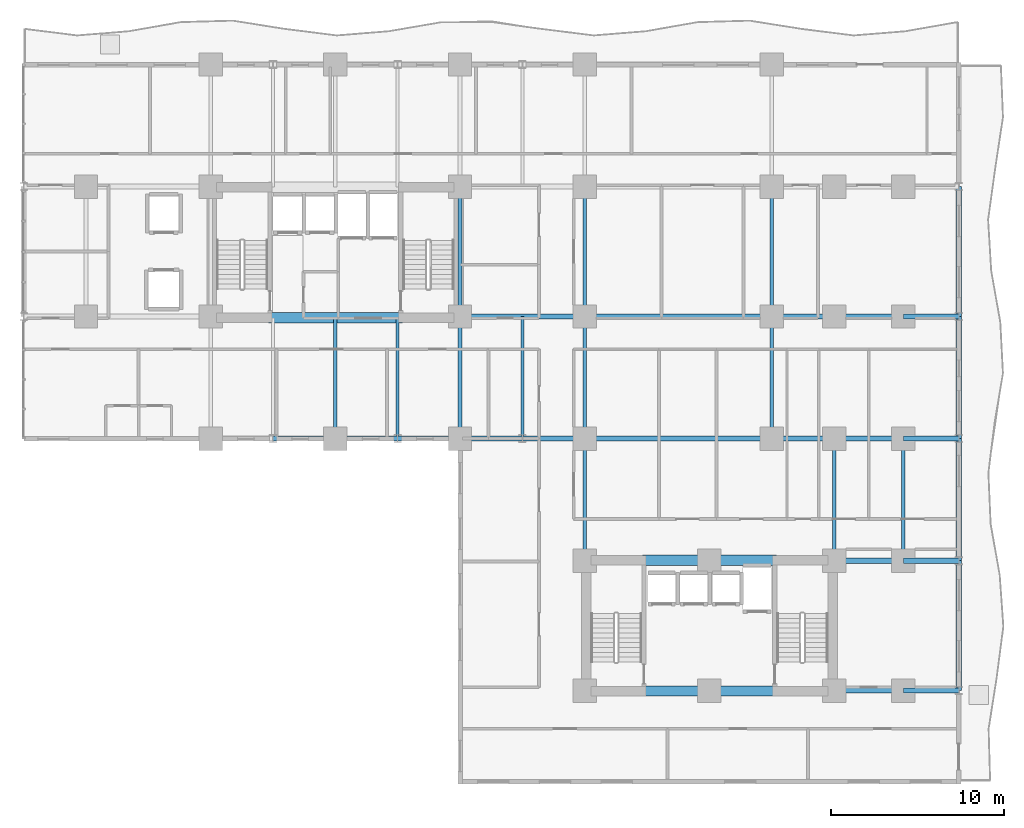
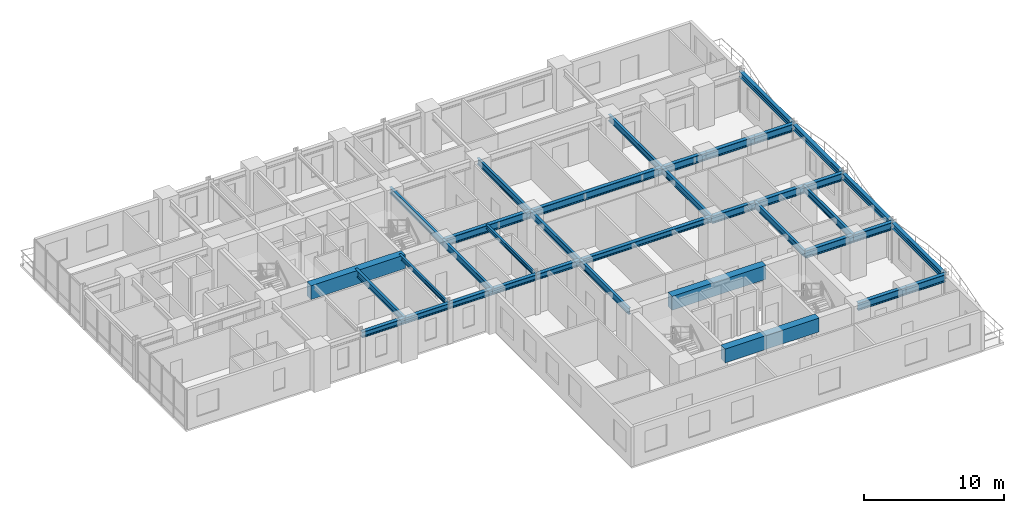
# One storey, part 5 of 19: 37 beams.
"""IFC4 building model written with IfcOpenShell, lengths in metres."""

import ifcopenshell
import ifcopenshell.guid

model = None  # the IFC model being written
_history = None  # IfcOwnerHistory: only IFC2X3 demands one
_inside = {}  # id of a spatial element -> (the spatial element, [elements in it])
_under = {}  # id of a project, library or spatial element -> (it, [spatial elements below it])
_declared = {}  # id of a project -> (the project, [libraries it declares])
_typed = {}  # id of a type object -> (the type object, [elements of that type])
_made_of = {}  # id of a material, layer set ... -> (it, [elements and type objects made of it])


def new_model(schema):
    """Start an empty IFC model of exactly this schema.

    Asked for "IFC4X3", IfcOpenShell would pick the latest addendum, in which some entities
    have other attributes; the version numbers below select the first issue.
    IFC2X3 requires an IfcOwnerHistory on every rooted entity: one is made here for all.
    """
    global model, _history
    if schema == "IFC4X3":
        model = ifcopenshell.file(schema_version=(4, 3, 0, 0))
    else:
        model = ifcopenshell.file(schema=schema)
    _inside.clear()
    _under.clear()
    _declared.clear()
    _typed.clear()
    _made_of.clear()
    _history = None
    if model.schema == "IFC2X3":
        org = make("IfcOrganization", Name="unknown")
        user = make(
            "IfcPersonAndOrganization",
            ThePerson=make("IfcPerson", FamilyName="unknown"),
            TheOrganization=org,
        )
        app = make(
            "IfcApplication",
            ApplicationDeveloper=org,
            Version="unknown",
            ApplicationFullName="unknown",
            ApplicationIdentifier="unknown",
        )
        _history = make(
            "IfcOwnerHistory",
            OwningUser=user,
            OwningApplication=app,
            ChangeAction="ADDED",
            CreationDate=0,
        )
    return model


def make(cls, **values):
    """One entity of the class cls with the attributes given. An attribute that is None is left unset."""
    return model.create_entity(
        cls, **{name: value for name, value in values.items() if value is not None}
    )


def rooted(cls, **values):
    """An entity with a GlobalId (a new one), such as an element, a storey or a relation."""
    return make(cls, GlobalId=ifcopenshell.guid.new(), OwnerHistory=_history, **values)


def si_unit(unit_type, name, prefix=None):
    """IfcSIUnit, for example si_unit("LENGTHUNIT", "METRE", prefix="MILLI")."""
    return make("IfcSIUnit", UnitType=unit_type, Prefix=prefix, Name=name)


def assignment(units):
    """IfcUnitAssignment: the units of a project."""
    return None if units is None else make("IfcUnitAssignment", Units=units)


def point(xyz):
    """IfcCartesianPoint."""
    return None if xyz is None else make("IfcCartesianPoint", Coordinates=xyz)


def direction(xyz):
    """IfcDirection."""
    return None if xyz is None else make("IfcDirection", DirectionRatios=xyz)


def frame(location, z_axis=None, x_axis=None):
    """IfcAxis2Placement3D, a coordinate frame: its origin and axes. An axis left out is left unset."""
    return make(
        "IfcAxis2Placement3D",
        Location=point(location),
        Axis=direction(z_axis),
        RefDirection=direction(x_axis),
    )


def frame_2d(location, x_axis=None):
    """IfcAxis2Placement2D, a coordinate frame in the plane: its origin and x axis."""
    return make(
        "IfcAxis2Placement2D", Location=point(location), RefDirection=direction(x_axis)
    )


def origin():
    """The frame at (0, 0, 0) with its axes left unset."""
    return frame((0.0, 0.0, 0.0))


def origin_2d():
    """The frame at (0, 0) in the plane with its x axis left unset."""
    return frame_2d((0.0, 0.0))


def place(relative_to, where):
    """IfcLocalPlacement: puts the frame where relative to a parent placement (None: the world)."""
    return make(
        "IfcLocalPlacement", PlacementRelTo=relative_to, RelativePlacement=where
    )


def context(
    kind, dimensions, precision=None, world=None, true_north=None, identifier=None
):
    """IfcGeometricRepresentationContext, for example the 3D "Model" context."""
    return make(
        "IfcGeometricRepresentationContext",
        ContextIdentifier=identifier,
        ContextType=kind,
        CoordinateSpaceDimension=dimensions,
        Precision=precision,
        WorldCoordinateSystem=world,
        TrueNorth=true_north,
    )


def subcontext(parent, identifier, kind, view, scale=None):
    """IfcGeometricRepresentationSubContext, for example "Body" below "Model"."""
    return make(
        "IfcGeometricRepresentationSubContext",
        ContextIdentifier=identifier,
        ContextType=kind,
        ParentContext=parent,
        TargetScale=scale,
        TargetView=view,
    )


def project(units=None, contexts=None):
    """IfcProject with its units and contexts."""
    return rooted(
        "IfcProject",
        Name="project",
        RepresentationContexts=contexts,
        UnitsInContext=assignment(units),
    )


def spatial(cls, under=None, at=None, **own):
    """A site, building, storey or space (cls), placed at a placement, below another one or the project."""
    s = rooted(cls, ObjectPlacement=at, **own)
    if under is not None:
        _under.setdefault(under.id(), (under, []))[1].append(s)
    return s


def profile(cls, at=None, kind="AREA", **sizes):
    """A parametric profile (cls). Its sizes go by their IFC names, for example OverallWidth=200.0."""
    return make(cls, ProfileType=kind, Position=at, **sizes)


def rectangle(**sizes):
    """IfcRectangleProfileDef."""
    return profile("IfcRectangleProfileDef", **sizes)


def i_section(**sizes):
    """IfcIShapeProfileDef."""
    return profile("IfcIShapeProfileDef", **sizes)


def extrude(swept, where, along, depth):
    """IfcExtrudedAreaSolid: the profile swept, set in the frame where, extruded along a direction by depth."""
    return make(
        "IfcExtrudedAreaSolid",
        SweptArea=swept,
        Position=where,
        ExtrudedDirection=direction(along),
        Depth=depth,
    )


def shape(context_of_items, identifier, shape_type, items):
    """IfcShapeRepresentation: the items that make up one representation, for example the "Body"."""
    return make(
        "IfcShapeRepresentation",
        ContextOfItems=context_of_items,
        RepresentationIdentifier=identifier,
        RepresentationType=shape_type,
        Items=items,
    )


def source(mapping_origin, context_of_items, identifier, shape_type, items):
    """IfcRepresentationMap: a shape defined once, which mapped items show again and again."""
    return make(
        "IfcRepresentationMap",
        MappingOrigin=mapping_origin,
        MappedRepresentation=shape(context_of_items, identifier, shape_type, items),
    )


def transform(
    local_origin,
    x_axis=None,
    y_axis=None,
    z_axis=None,
    scale=None,
    scale2=None,
    scale3=None,
    uniform=True,
):
    """IfcCartesianTransformationOperator3D, or its non-uniform kind. x_axis, y_axis, z_axis: its Axis1, 2, 3."""
    if uniform:
        return make(
            "IfcCartesianTransformationOperator3D",
            Axis1=direction(x_axis),
            Axis2=direction(y_axis),
            LocalOrigin=point(local_origin),
            Scale=scale,
            Axis3=direction(z_axis),
        )
    return make(
        "IfcCartesianTransformationOperator3DnonUniform",
        Axis1=direction(x_axis),
        Axis2=direction(y_axis),
        LocalOrigin=point(local_origin),
        Scale=scale,
        Axis3=direction(z_axis),
        Scale2=scale2,
        Scale3=scale3,
    )


def mapped(mapping_source, mapping_target):
    """IfcMappedItem: shows the shape of a source again, moved by a transform."""
    return make(
        "IfcMappedItem", MappingSource=mapping_source, MappingTarget=mapping_target
    )


def material(Name=None, Category=None):
    """IfcMaterial."""
    return make("IfcMaterial", Name=Name, Category=Category)


def material_profile(
    of_material, cross_section, Name=None, Category=None, Priority=None
):
    """IfcMaterialProfile: a cross section and its material."""
    return make(
        "IfcMaterialProfile",
        Name=Name,
        Material=of_material,
        Profile=cross_section,
        Priority=Priority,
        Category=Category,
    )


def profile_set(profiles, Name=None, composite=None):
    """IfcMaterialProfileSet."""
    return make(
        "IfcMaterialProfileSet",
        Name=Name,
        MaterialProfiles=profiles,
        CompositeProfile=composite,
    )


def made_of(thing, what):
    """Note that an element or type object is made of a material, layer set ...; save() writes the relation."""
    if what is not None:
        _made_of.setdefault(what.id(), (what, []))[1].append(thing)
    return thing


def type_object(cls, material=None, **own):
    """A type object (cls), such as IfcWallType, which elements share."""
    return made_of(rooted(cls, **own), material)


def element(
    cls,
    number,
    at=None,
    inside=None,
    cuts=None,
    type_object=None,
    material=None,
    context=None,
    identifier="Body",
    shape_type=None,
    held_by="IfcProductDefinitionShape",
    body=None,
    shapes=None,
    **own,
):
    """One element of the class cls, such as IfcWall. Its Tag is "e" and its number.

    at: its placement. inside: the storey or other place that contains it. cuts: it is an
    opening in that element (IfcRelVoidsElement). A single representation is given by context,
    identifier, shape_type and body (its items); several are given by shapes. held_by: the class
    of the entity that holds the representations. save() writes the other relations.
    """
    e = rooted(cls, Tag="e%d" % number, ObjectPlacement=at, **own)
    if body is not None:
        shapes = [shape(context, identifier, shape_type, body)]
    if shapes is not None:
        e.Representation = make(held_by, Representations=shapes)
    if inside is not None:
        _inside.setdefault(inside.id(), (inside, []))[1].append(e)
    if cuts is not None:
        rooted(
            "IfcRelVoidsElement", RelatingBuildingElement=cuts, RelatedOpeningElement=e
        )
    if type_object is not None:
        _typed.setdefault(type_object.id(), (type_object, []))[1].append(e)
    return made_of(e, material)


def aggregate(whole, parts):
    """IfcRelAggregates: a whole, such as a stair, and the parts it consists of."""
    return rooted("IfcRelAggregates", RelatingObject=whole, RelatedObjects=parts)


def save(model, path):
    """Write the relations noted so far, then the file.

    IfcRelAggregates (storeys below a building ...), IfcRelContainedInSpatialStructure (elements
    in a storey), IfcRelDefinesByType, IfcRelAssociatesMaterial and IfcRelDeclares: one each for
    every whole, place, type object, material and project.
    """
    for whole, parts in _under.values():
        aggregate(whole, parts)
    for where, things in _inside.values():
        rooted(
            "IfcRelContainedInSpatialStructure",
            RelatedElements=things,
            RelatingStructure=where,
        )
    for kind, things in _typed.values():
        rooted("IfcRelDefinesByType", RelatedObjects=things, RelatingType=kind)
    for what, things in _made_of.values():
        rooted("IfcRelAssociatesMaterial", RelatedObjects=things, RelatingMaterial=what)
    for by, libraries in _declared.values():
        rooted("IfcRelDeclares", RelatingContext=by, RelatedDefinitions=libraries)
    model.write(path)


model = new_model("IFC4")

# Units and contexts
model_context = context("Model", 3, precision=1e-05, world=origin(), true_north=direction((0.0, 1.0)))
body_context = subcontext(model_context, "Body", "Model", "MODEL_VIEW")
ifc_project = project(units=[si_unit("LENGTHUNIT", "METRE"), si_unit("AREAUNIT", "SQUARE_METRE"), si_unit("VOLUMEUNIT", "CUBIC_METRE"), si_unit("PLANEANGLEUNIT", "RADIAN"), si_unit("MASSUNIT", "GRAM", prefix="KILO")], contexts=[model_context])

# Site, building, storey
site_placement = place(None, origin())
site = spatial("IfcSite", under=ifc_project, at=site_placement, CompositionType="ELEMENT")
building_placement = place(site_placement, origin())
building = spatial("IfcBuilding", under=site, at=building_placement, Name="Kaliganga Portal Commons", CompositionType="ELEMENT")
storey_placement = place(building_placement, frame((0.0, 0.0, 32.699951171875)))
storey = spatial("IfcBuildingStorey", under=building, at=storey_placement, Name="L07", CompositionType="ELEMENT", Elevation=32.699951171875)

# Beams
ifc_material_1 = material(Name="Concrete C60/75", Category="concrete")
ifc_material_profile_1 = material_profile(ifc_material_1, rectangle(XDim=0.60009765625, YDim=1.199951171875, at=origin_2d()), Name="RC 600x1200")
ifc_profile_set_1 = profile_set([ifc_material_profile_1], Name="Concrete C60/75")
beam_type_1 = type_object("IfcBeamType", Name="BM-CPL-1200", PredefinedType="LINTEL", material=ifc_profile_set_1)
shared_shape_1 = source(origin(), body_context, "Body", "SweptSolid", [
    extrude(rectangle(XDim=0.60009765625, YDim=1.199951171875, at=origin_2d()), origin(), (0.0, 0.0, 1.0), 7.739990234375),
])
for number, where, z_axis, x_axis, name in (
    (1, (17.72998046875, 28.574951171875, 2.85009765625), (1.0, 0.0, 0.0), (0.0, 1.0, 0.0), "BM CPL COREA L07 S"),
    (2, (39.330078125, 7.02490234375, 2.85009765625), (1.0, 0.0, 0.0), (0.0, 1.0, 0.0), "BM CPL COREB L07 S"),
    (3, (39.330078125, 14.574951171875, 2.85009765625), (1.0, 0.0, 0.0), (0.0, 1.0, 0.0), "BM CPL COREB L07 N"),
):
    element("IfcBeam", number, at=place(storey_placement, frame(where, z_axis=z_axis, x_axis=x_axis)), inside=storey, type_object=beam_type_1, Name=name, PredefinedType="LINTEL", context=body_context, shape_type="MappedRepresentation", body=[
        mapped(shared_shape_1, transform((0.0, 0.0, 0.0), x_axis=(1.0, 0.0, 0.0), y_axis=(0.0, 1.0, 0.0), z_axis=(0.0, 0.0, 1.0), scale=1.0)),
    ])
ifc_material_2 = material(Name="Structural steel S355J2", Category="steel")
ifc_material_profile_2 = material_profile(ifc_material_2, i_section(OverallWidth=0.300048828125, OverallDepth=0.5, WebThickness=0.014404296875, FlangeThickness=0.028076171875, FilletRadius=0.027099609375, at=origin_2d()), Name="HE 500 B")
ifc_profile_set_2 = profile_set([ifc_material_profile_2], Name="Structural steel S355J2 wide-flange")
beam_type_2 = type_object("IfcBeamType", Name="BM-SPAND-500", PredefinedType="SPANDREL", material=ifc_profile_set_2)
shared_shape_2 = source(origin(), body_context, "Body", "SweptSolid", [
    extrude(i_section(OverallWidth=0.300048828125, OverallDepth=0.5, WebThickness=0.014404296875, FlangeThickness=0.028076171875, FilletRadius=0.027099609375, at=origin_2d()), origin(), (0.0, 0.0, 1.0), 10.800048828125),
])
beam_1_placement = place(storey_placement, frame((36.0, 21.60009765625, 3.199951171875), z_axis=(1.0, 0.0, 0.0), x_axis=(0.0, 1.0, 0.0)))
element("IfcBeam", 4, at=beam_1_placement, inside=storey, type_object=beam_type_2, Name="BM SP L07 AS 7", PredefinedType="SPANDREL", context=body_context, shape_type="MappedRepresentation", body=[
    mapped(shared_shape_2, transform((0.0, 0.0, 0.0), x_axis=(1.0, 0.0, 0.0), y_axis=(0.0, 1.0, 0.0), z_axis=(0.0, 0.0, 1.0), scale=1.0)),
])
shared_shape_3 = source(origin(), body_context, "Body", "SweptSolid", [
    extrude(i_section(OverallWidth=0.300048828125, OverallDepth=0.5, WebThickness=0.014404296875, FlangeThickness=0.028076171875, FilletRadius=0.027099609375, at=origin_2d()), origin(), (0.0, 0.0, 1.0), 7.5),
])
for number, where, z_axis, x_axis, name in (
    (5, (57.60009765625, 7.050048828125, 3.199951171875), (0.0, 1.0, 0.0), (-1.0, 0.0, 0.0), "BM SP L07 BE 1"),
    (6, (57.60009765625, 28.64990234375, 3.199951171875), (0.0, 1.0, 0.0), (-1.0, 0.0, 0.0), "BM SP L07 BE 4"),
):
    element("IfcBeam", number, at=place(storey_placement, frame(where, z_axis=z_axis, x_axis=x_axis)), inside=storey, type_object=beam_type_2, Name=name, PredefinedType="SPANDREL", context=body_context, shape_type="MappedRepresentation", body=[
        mapped(shared_shape_3, transform((0.0, 0.0, 0.0), x_axis=(1.0, 0.0, 0.0), y_axis=(0.0, 1.0, 0.0), z_axis=(0.0, 0.0, 1.0), scale=1.0)),
    ])
shared_shape_4 = source(origin(), body_context, "Body", "SweptSolid", [
    extrude(i_section(OverallWidth=0.300048828125, OverallDepth=0.5, WebThickness=0.014404296875, FlangeThickness=0.028076171875, FilletRadius=0.027099609375, at=origin_2d()), origin(), (0.0, 0.0, 1.0), 7.050048828125),
])
beam_2_placement = place(storey_placement, frame((57.60009765625, 14.550048828125, 3.199951171875), z_axis=(0.0, 1.0, 0.0), x_axis=(-1.0, 0.0, 0.0)))
element("IfcBeam", 7, at=beam_2_placement, inside=storey, type_object=beam_type_2, Name="BM SP L07 BE 2", PredefinedType="SPANDREL", context=body_context, shape_type="MappedRepresentation", body=[
    mapped(shared_shape_4, transform((0.0, 0.0, 0.0), x_axis=(1.0, 0.0, 0.0), y_axis=(0.0, 1.0, 0.0), z_axis=(0.0, 0.0, 1.0), scale=1.0)),
])
shared_shape_5 = source(origin(), body_context, "Body", "SweptSolid", [
    extrude(i_section(OverallWidth=0.300048828125, OverallDepth=0.5, WebThickness=0.014404296875, FlangeThickness=0.028076171875, FilletRadius=0.027099609375, at=origin_2d()), origin(), (0.0, 0.0, 1.0), 7.0498046875),
])
beam_3_placement = place(storey_placement, frame((57.60009765625, 21.60009765625, 3.199951171875), z_axis=(0.0, 1.0, 0.0), x_axis=(-1.0, 0.0, 0.0)))
element("IfcBeam", 8, at=beam_3_placement, inside=storey, type_object=beam_type_2, Name="BM SP L07 BE 3", PredefinedType="SPANDREL", context=body_context, shape_type="MappedRepresentation", body=[
    mapped(shared_shape_5, transform((0.0, 0.0, 0.0), x_axis=(1.0, 0.0, 0.0), y_axis=(0.0, 1.0, 0.0), z_axis=(0.0, 0.0, 1.0), scale=1.0)),
])
shared_shape_6 = source(origin(), body_context, "Body", "SweptSolid", [
    extrude(i_section(OverallWidth=0.300048828125, OverallDepth=0.5, WebThickness=0.014404296875, FlangeThickness=0.028076171875, FilletRadius=0.027099609375, at=origin_2d()), origin(), (0.0, 0.0, 1.0), 3.60009765625),
])
for number, where, z_axis, x_axis, name in (
    (9, (18.0, 21.60009765625, 3.199951171875), (1.0, 0.0, 0.0), (0.0, 1.0, 0.0), "BM SP L07 AS 2"),
    (10, (25.199951171875, 21.60009765625, 3.199951171875), (1.0, 0.0, 0.0), (0.0, 1.0, 0.0), "BM SP L07 AS 4"),
    (11, (32.39990234375, 21.60009765625, 3.199951171875), (1.0, 0.0, 0.0), (0.0, 1.0, 0.0), "BM SP L07 AS 6"),
):
    element("IfcBeam", number, at=place(storey_placement, frame(where, z_axis=z_axis, x_axis=x_axis)), inside=storey, type_object=beam_type_2, Name=name, PredefinedType="SPANDREL", context=body_context, shape_type="MappedRepresentation", body=[
        mapped(shared_shape_6, transform((0.0, 0.0, 0.0), x_axis=(1.0, 0.0, 0.0), y_axis=(0.0, 1.0, 0.0), z_axis=(0.0, 0.0, 1.0), scale=1.0)),
    ])
shared_shape_7 = source(origin(), body_context, "Body", "SweptSolid", [
    extrude(i_section(OverallWidth=0.300048828125, OverallDepth=0.5, WebThickness=0.014404296875, FlangeThickness=0.028076171875, FilletRadius=0.027099609375, at=origin_2d()), origin(), (0.0, 0.0, 1.0), 3.599853515625),
])
for number, where, z_axis, x_axis, name in (
    (12, (21.60009765625, 21.60009765625, 3.199951171875), (1.0, 0.0, 0.0), (0.0, 1.0, 0.0), "BM SP L07 AS 3"),
    (13, (28.800048828125, 21.60009765625, 3.199951171875), (1.0, 0.0, 0.0), (0.0, 1.0, 0.0), "BM SP L07 AS 5"),
):
    element("IfcBeam", number, at=place(storey_placement, frame(where, z_axis=z_axis, x_axis=x_axis)), inside=storey, type_object=beam_type_2, Name=name, PredefinedType="SPANDREL", context=body_context, shape_type="MappedRepresentation", body=[
        mapped(shared_shape_7, transform((0.0, 0.0, 0.0), x_axis=(1.0, 0.0, 0.0), y_axis=(0.0, 1.0, 0.0), z_axis=(0.0, 0.0, 1.0), scale=1.0)),
    ])
ifc_material_profile_3 = material_profile(ifc_material_2, i_section(OverallWidth=0.300048828125, OverallDepth=0.64990234375, WebThickness=0.01611328125, FlangeThickness=0.031005859375, FilletRadius=0.027099609375, at=origin_2d()), Name="HE 650 B")
ifc_profile_set_3 = profile_set([ifc_material_profile_3], Name="Structural steel S355J2 wide-flange")
beam_type_3 = type_object("IfcBeamType", Name="BM-GIRD-650", PredefinedType="USERDEFINED", material=ifc_profile_set_3)
shared_shape_8 = source(origin(), body_context, "Body", "SweptSolid", [
    extrude(i_section(OverallWidth=0.300048828125, OverallDepth=0.64990234375, WebThickness=0.01611328125, FlangeThickness=0.031005859375, FilletRadius=0.027099609375, at=origin_2d()), origin(), (0.0, 0.0, 1.0), 3.599853515625),
])
for number, where, z_axis, x_axis, name in (
    (14, (46.800048828125, 21.60009765625, 3.125), (1.0, 0.0, 0.0), (0.0, 1.0, 0.0), "BM G L07 BKE216 1"),
    (15, (46.800048828125, 28.64990234375, 3.125), (1.0, 0.0, 0.0), (0.0, 1.0, 0.0), "BM G L07 BKE286 1"),
):
    element("IfcBeam", number, at=place(storey_placement, frame(where, z_axis=z_axis, x_axis=x_axis)), inside=storey, type_object=beam_type_3, Name=name, ObjectType="GIRDER", PredefinedType="USERDEFINED", context=body_context, shape_type="MappedRepresentation", body=[
        mapped(shared_shape_8, transform((0.0, 0.0, 0.0), x_axis=(1.0, 0.0, 0.0), y_axis=(0.0, 1.0, 0.0), z_axis=(0.0, 0.0, 1.0), scale=1.0)),
    ])
shared_shape_9 = source(origin(), body_context, "Body", "SweptSolid", [
    extrude(i_section(OverallWidth=0.300048828125, OverallDepth=0.64990234375, WebThickness=0.01611328125, FlangeThickness=0.031005859375, FilletRadius=0.027099609375, at=origin_2d()), origin(), (0.0, 0.0, 1.0), 7.199951171875),
])
beam_4_placement = place(storey_placement, frame((28.800048828125, 28.64990234375, 3.125), z_axis=(1.0, 0.0, 0.0), x_axis=(0.0, 1.0, 0.0)))
element("IfcBeam", 16, at=beam_4_placement, inside=storey, type_object=beam_type_3, Name="BM G L07 WAE_S 1", ObjectType="GIRDER", PredefinedType="USERDEFINED", context=body_context, shape_type="MappedRepresentation", body=[
    mapped(shared_shape_9, transform((0.0, 0.0, 0.0), x_axis=(1.0, 0.0, 0.0), y_axis=(0.0, 1.0, 0.0), z_axis=(0.0, 0.0, 1.0), scale=1.0)),
])
shared_shape_10 = source(origin(), body_context, "Body", "SweptSolid", [
    extrude(i_section(OverallWidth=0.300048828125, OverallDepth=0.64990234375, WebThickness=0.01611328125, FlangeThickness=0.031005859375, FilletRadius=0.027099609375, at=origin_2d()), origin(), (0.0, 0.0, 1.0), 10.800048828125),
])
beam_5_placement = place(storey_placement, frame((36.0, 28.64990234375, 3.125), z_axis=(1.0, 0.0, 0.0), x_axis=(0.0, 1.0, 0.0)))
element("IfcBeam", 17, at=beam_5_placement, inside=storey, type_object=beam_type_3, Name="BM G L07 WAE_S 2", ObjectType="GIRDER", PredefinedType="USERDEFINED", context=body_context, shape_type="MappedRepresentation", body=[
    mapped(shared_shape_10, transform((0.0, 0.0, 0.0), x_axis=(1.0, 0.0, 0.0), y_axis=(0.0, 1.0, 0.0), z_axis=(0.0, 0.0, 1.0), scale=1.0)),
])
ifc_material_profile_4 = material_profile(ifc_material_2, i_section(OverallWidth=0.2099609375, OverallDepth=0.550048828125, WebThickness=0.010986328125, FlangeThickness=0.01708984375, FilletRadius=0.02392578125, at=origin_2d()), Name="IPE 550")
ifc_profile_set_4 = profile_set([ifc_material_profile_4], Name="Structural steel S355J2 wide-flange")
beam_type_4 = type_object("IfcBeamType", Name="BM-FLR-550", PredefinedType="BEAM", material=ifc_profile_set_4)
shared_shape_11 = source(origin(), body_context, "Body", "SweptSolid", [
    extrude(i_section(OverallWidth=0.2099609375, OverallDepth=0.550048828125, WebThickness=0.010986328125, FlangeThickness=0.01708984375, FilletRadius=0.02392578125, at=origin_2d()), origin(), (0.0, 0.0, 1.0), 7.5),
])
for number, where, z_axis, x_axis, name in (
    (18, (28.800048828125, 28.64990234375, 3.175048828125), (0.0, 1.0, 0.0), (-1.0, 0.0, 0.0), "BM G L07 AM288"),
    (19, (36.0, 28.64990234375, 3.175048828125), (0.0, 1.0, 0.0), (-1.0, 0.0, 0.0), "BM G L07 AM360"),
    (20, (46.800048828125, 28.64990234375, 3.175048828125), (0.0, 1.0, 0.0), (-1.0, 0.0, 0.0), "BM G L07 AM468"),
):
    element("IfcBeam", number, at=place(storey_placement, frame(where, z_axis=z_axis, x_axis=x_axis)), inside=storey, type_object=beam_type_4, Name=name, PredefinedType="BEAM", context=body_context, shape_type="MappedRepresentation", body=[
        mapped(shared_shape_11, transform((0.0, 0.0, 0.0), x_axis=(1.0, 0.0, 0.0), y_axis=(0.0, 1.0, 0.0), z_axis=(0.0, 0.0, 1.0), scale=1.0)),
    ])
shared_shape_12 = source(origin(), body_context, "Body", "SweptSolid", [
    extrude(i_section(OverallWidth=0.2099609375, OverallDepth=0.550048828125, WebThickness=0.010986328125, FlangeThickness=0.01708984375, FilletRadius=0.02392578125, at=origin_2d()), origin(), (0.0, 0.0, 1.0), 7.050048828125),
])
for number, where, z_axis, x_axis, name in (
    (21, (36.0, 14.550048828125, 3.175048828125), (0.0, 1.0, 0.0), (-1.0, 0.0, 0.0), "BM G L07 BNK360"),
    (22, (50.39990234375, 14.550048828125, 3.175048828125), (0.0, 1.0, 0.0), (-1.0, 0.0, 0.0), "BM G L07 BNK504"),
    (23, (54.39990234375, 14.550048828125, 3.175048828125), (0.0, 1.0, 0.0), (-1.0, 0.0, 0.0), "BM G L07 BNK544"),
):
    element("IfcBeam", number, at=place(storey_placement, frame(where, z_axis=z_axis, x_axis=x_axis)), inside=storey, type_object=beam_type_4, Name=name, PredefinedType="BEAM", context=body_context, shape_type="MappedRepresentation", body=[
        mapped(shared_shape_12, transform((0.0, 0.0, 0.0), x_axis=(1.0, 0.0, 0.0), y_axis=(0.0, 1.0, 0.0), z_axis=(0.0, 0.0, 1.0), scale=1.0)),
    ])
shared_shape_13 = source(origin(), body_context, "Body", "SweptSolid", [
    extrude(i_section(OverallWidth=0.2099609375, OverallDepth=0.550048828125, WebThickness=0.010986328125, FlangeThickness=0.01708984375, FilletRadius=0.02392578125, at=origin_2d()), origin(), (0.0, 0.0, 1.0), 7.0498046875),
])
for number, where, z_axis, x_axis, name in (
    (24, (28.800048828125, 21.60009765625, 3.175048828125), (0.0, 1.0, 0.0), (-1.0, 0.0, 0.0), "BM G L07 AS288"),
    (25, (36.0, 21.60009765625, 3.175048828125), (0.0, 1.0, 0.0), (-1.0, 0.0, 0.0), "BM G L07 AS360"),
    (26, (46.800048828125, 21.60009765625, 3.175048828125), (0.0, 1.0, 0.0), (-1.0, 0.0, 0.0), "BM G L07 AS468"),
):
    element("IfcBeam", number, at=place(storey_placement, frame(where, z_axis=z_axis, x_axis=x_axis)), inside=storey, type_object=beam_type_4, Name=name, PredefinedType="BEAM", context=body_context, shape_type="MappedRepresentation", body=[
        mapped(shared_shape_13, transform((0.0, 0.0, 0.0), x_axis=(1.0, 0.0, 0.0), y_axis=(0.0, 1.0, 0.0), z_axis=(0.0, 0.0, 1.0), scale=1.0)),
    ])
ifc_material_profile_5 = material_profile(ifc_material_2, i_section(OverallWidth=0.169921875, OverallDepth=0.360107421875, WebThickness=0.008056640625, FlangeThickness=0.0126953125, FilletRadius=0.01806640625, at=origin_2d()), Name="IPE 360")
ifc_profile_set_5 = profile_set([ifc_material_profile_5], Name="Structural steel S355J2 wide-flange")
beam_type_5 = type_object("IfcBeamType", Name="BM-JST-360", PredefinedType="JOIST", material=ifc_profile_set_5)
shared_shape_14 = source(origin(), body_context, "Body", "SweptSolid", [
    extrude(i_section(OverallWidth=0.169921875, OverallDepth=0.360107421875, WebThickness=0.008056640625, FlangeThickness=0.0126953125, FilletRadius=0.01806640625, at=origin_2d()), origin(), (0.0, 0.0, 1.0), 6.974853515625),
])
beam_6_placement = place(storey_placement, frame((25.199951171875, 21.60009765625, 3.27001953125), z_axis=(0.0, 1.0, 0.0), x_axis=(-1.0, 0.0, 0.0)))
element("IfcBeam", 27, at=beam_6_placement, inside=storey, type_object=beam_type_5, Name="BM G L07 AS252", PredefinedType="JOIST", context=body_context, shape_type="MappedRepresentation", body=[
    mapped(shared_shape_14, transform((0.0, 0.0, 0.0), x_axis=(1.0, 0.0, 0.0), y_axis=(0.0, 1.0, 0.0), z_axis=(0.0, 0.0, 1.0), scale=1.0)),
])
shared_shape_15 = source(origin(), body_context, "Body", "SweptSolid", [
    extrude(i_section(OverallWidth=0.2099609375, OverallDepth=0.550048828125, WebThickness=0.010986328125, FlangeThickness=0.01708984375, FilletRadius=0.02392578125, at=origin_2d()), origin(), (0.0, 0.0, 1.0), 6.974853515625),
])
beam_7_placement = place(storey_placement, frame((21.60009765625, 21.60009765625, 3.175048828125), z_axis=(0.0, 1.0, 0.0), x_axis=(-1.0, 0.0, 0.0)))
element("IfcBeam", 28, at=beam_7_placement, inside=storey, type_object=beam_type_4, Name="BM G L07 AS216", PredefinedType="BEAM", context=body_context, shape_type="MappedRepresentation", body=[
    mapped(shared_shape_15, transform((0.0, 0.0, 0.0), x_axis=(1.0, 0.0, 0.0), y_axis=(0.0, 1.0, 0.0), z_axis=(0.0, 0.0, 1.0), scale=1.0)),
])
shared_shape_16 = source(origin(), body_context, "Body", "SweptSolid", [
    extrude(i_section(OverallWidth=0.169921875, OverallDepth=0.360107421875, WebThickness=0.008056640625, FlangeThickness=0.0126953125, FilletRadius=0.01806640625, at=origin_2d()), origin(), (0.0, 0.0, 1.0), 7.0498046875),
])
beam_8_placement = place(storey_placement, frame((32.39990234375, 21.60009765625, 3.27001953125), z_axis=(0.0, 1.0, 0.0), x_axis=(-1.0, 0.0, 0.0)))
element("IfcBeam", 29, at=beam_8_placement, inside=storey, type_object=beam_type_5, Name="BM G L07 AS324", PredefinedType="JOIST", context=body_context, shape_type="MappedRepresentation", body=[
    mapped(shared_shape_16, transform((0.0, 0.0, 0.0), x_axis=(1.0, 0.0, 0.0), y_axis=(0.0, 1.0, 0.0), z_axis=(0.0, 0.0, 1.0), scale=1.0)),
])
shared_shape_17 = source(origin(), body_context, "Body", "SweptSolid", [
    extrude(i_section(OverallWidth=0.300048828125, OverallDepth=0.64990234375, WebThickness=0.01611328125, FlangeThickness=0.031005859375, FilletRadius=0.027099609375, at=origin_2d()), origin(), (0.0, 0.0, 1.0), 4.0),
])
for number, where, z_axis, x_axis, name in (
    (30, (50.39990234375, 7.050048828125, 3.125), (1.0, 0.0, 0.0), (0.0, 1.0, 0.0), "BM G L07 BKE70 1"),
    (31, (50.39990234375, 14.550048828125, 3.125), (1.0, 0.0, 0.0), (0.0, 1.0, 0.0), "BM G L07 BKE146 1"),
    (32, (50.39990234375, 21.60009765625, 3.125), (1.0, 0.0, 0.0), (0.0, 1.0, 0.0), "BM G L07 BKE216 2"),
    (33, (50.39990234375, 28.64990234375, 3.125), (1.0, 0.0, 0.0), (0.0, 1.0, 0.0), "BM G L07 BKE286 2"),
):
    element("IfcBeam", number, at=place(storey_placement, frame(where, z_axis=z_axis, x_axis=x_axis)), inside=storey, type_object=beam_type_3, Name=name, ObjectType="GIRDER", PredefinedType="USERDEFINED", context=body_context, shape_type="MappedRepresentation", body=[
        mapped(shared_shape_17, transform((0.0, 0.0, 0.0), x_axis=(1.0, 0.0, 0.0), y_axis=(0.0, 1.0, 0.0), z_axis=(0.0, 0.0, 1.0), scale=1.0)),
    ])
shared_shape_18 = source(origin(), body_context, "Body", "SweptSolid", [
    extrude(i_section(OverallWidth=0.300048828125, OverallDepth=0.64990234375, WebThickness=0.01611328125, FlangeThickness=0.031005859375, FilletRadius=0.027099609375, at=origin_2d()), origin(), (0.0, 0.0, 1.0), 3.2001953125),
])
for number, where, z_axis, x_axis, name in (
    (34, (54.39990234375, 7.050048828125, 3.125), (1.0, 0.0, 0.0), (0.0, 1.0, 0.0), "BM G L07 BKE70 2"),
    (35, (54.39990234375, 14.550048828125, 3.125), (1.0, 0.0, 0.0), (0.0, 1.0, 0.0), "BM G L07 BKE146 2"),
    (36, (54.39990234375, 21.60009765625, 3.125), (1.0, 0.0, 0.0), (0.0, 1.0, 0.0), "BM G L07 BKE216 3"),
    (37, (54.39990234375, 28.64990234375, 3.125), (1.0, 0.0, 0.0), (0.0, 1.0, 0.0), "BM G L07 BKE286 3"),
):
    element("IfcBeam", number, at=place(storey_placement, frame(where, z_axis=z_axis, x_axis=x_axis)), inside=storey, type_object=beam_type_3, Name=name, ObjectType="GIRDER", PredefinedType="USERDEFINED", context=body_context, shape_type="MappedRepresentation", body=[
        mapped(shared_shape_18, transform((0.0, 0.0, 0.0), x_axis=(1.0, 0.0, 0.0), y_axis=(0.0, 1.0, 0.0), z_axis=(0.0, 0.0, 1.0), scale=1.0)),
    ])

save(model, "model.ifc")
